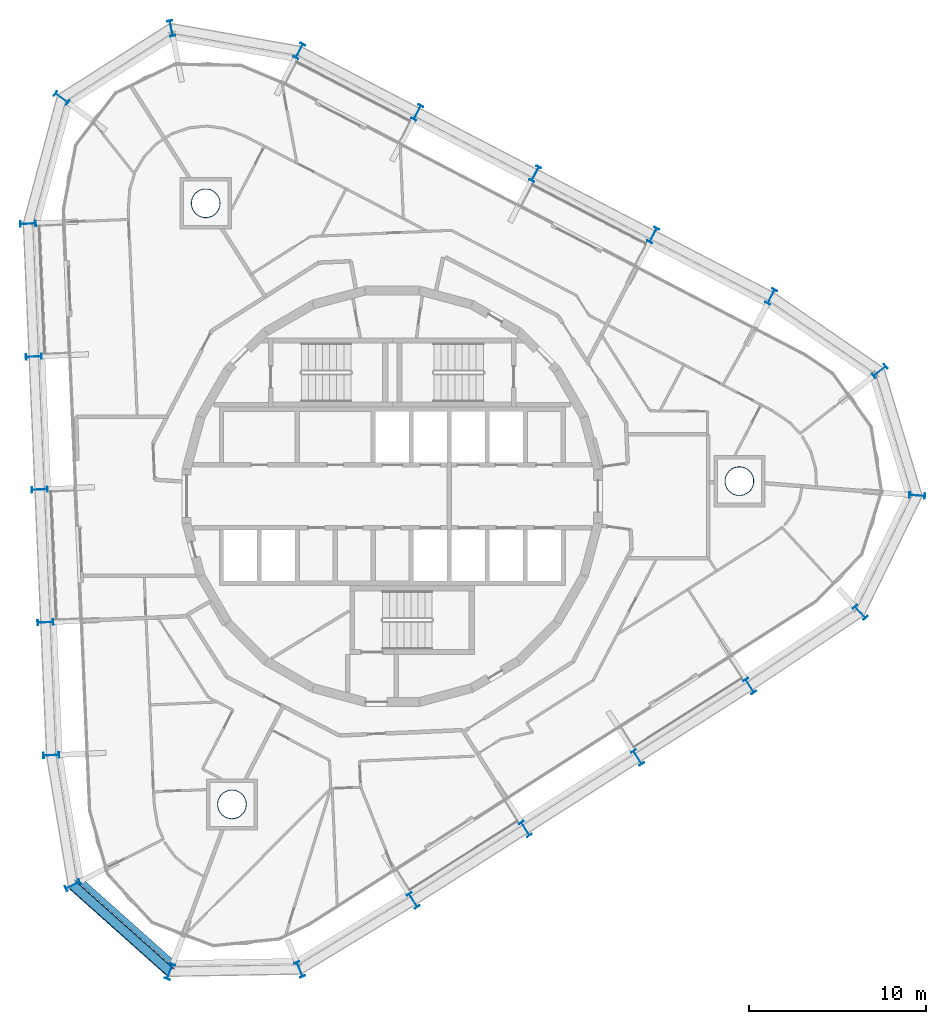
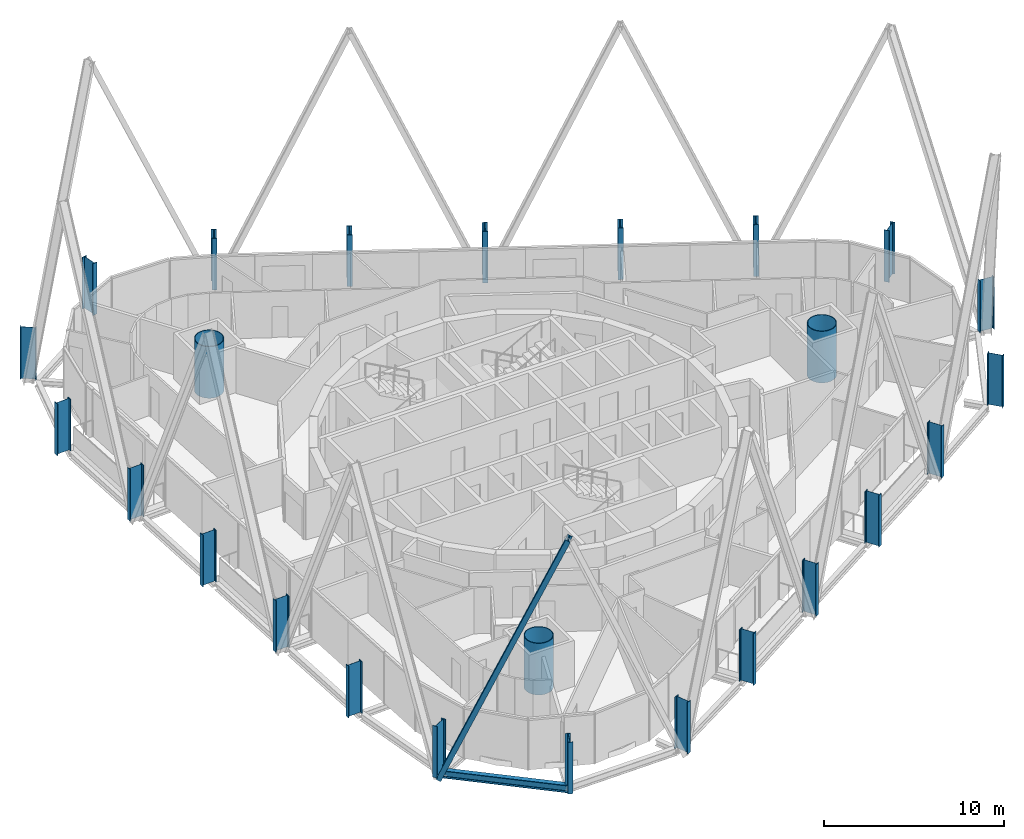
# One storey, part 1 of 18: 25 columns, 1 beam, 1 member.
"""IFC4 building model written with IfcOpenShell, lengths in metres."""

from ifc_helpers import new_model, si_unit, direction, frame, origin, origin_2d, place, context, subcontext, project, spatial, hollow_circle, i_section, extrude, material, material_profile, profile_set, type_object, element, save


model = new_model("IFC4")

# Units and contexts
model_context = context("Model", 3, precision=1e-05, world=origin(), true_north=direction((0.0, 1.0)))
body_context = subcontext(model_context, "Body", "Model", "MODEL_VIEW")
ifc_project = project(units=[si_unit("LENGTHUNIT", "METRE"), si_unit("AREAUNIT", "SQUARE_METRE"), si_unit("VOLUMEUNIT", "CUBIC_METRE"), si_unit("PLANEANGLEUNIT", "RADIAN"), si_unit("MASSUNIT", "GRAM", prefix="KILO")], contexts=[model_context])

# Site, building, storey
site_placement = place(None, origin())
site = spatial("IfcSite", under=ifc_project, at=site_placement, CompositionType="ELEMENT")
building_placement = place(site_placement, origin())
building = spatial("IfcBuilding", under=site, at=building_placement, Name="Spindle Arch Residences", CompositionType="ELEMENT")
storey_placement = place(building_placement, frame((0.0, 0.0, 240.699951171875)))
storey = spatial("IfcBuildingStorey", under=building, at=storey_placement, Name="L61", CompositionType="ELEMENT", Elevation=240.699951171875)

# Columns
ifc_material_1 = material(Name="Steel S460ML, intumescent coating R 240", Category="steel")
ifc_material_profile_1 = material_profile(ifc_material_1, i_section(OverallWidth=0.300048828125, OverallDepth=0.89990234375, WebThickness=0.0185546875, FlangeThickness=0.034912109375, FilletRadius=0.030029296875, at=origin_2d()), Name="HEB 900")
ifc_profile_set_1 = profile_set([ifc_material_profile_1], Name="Steel S460ML, intumescent coating R 240")
column_type_1 = type_object("IfcColumnType", Name="Exoskeleton post HEB 900", PredefinedType="COLUMN", material=ifc_profile_set_1)
for number, where, z_axis, x_axis, name in (
    (1, (13.885986328125, -14.78955078125, -0.3798828125), (0.0, 0.0, 1.0), (-0.843391139633, -0.537300088953, 0.0), "Exoskeleton post 1"),
    (2, (20.23681640625, -10.74365234375, -0.3798828125), (0.0, 0.0, 1.0), (-0.843391139633, -0.537300088953, 0.0), "Exoskeleton post 2"),
    (3, (26.49462890625, -6.569091796875, -0.3798828125), (0.0, 0.0, 1.0), (-0.735346889002, -0.677690897707, 0.0), "Exoskeleton post 3"),
    (4, (29.71728515625, 0.04443359375, -0.3798828125), (0.0, 0.0, 1.0), (-0.080537962999, -0.996751542018, 0.0), "Exoskeleton post 4"),
    (5, (27.598388671875, 7.089599609375, -0.3798828125), (0.0, 0.0, 1.0), (0.617001797175, -0.786961741308, 0.0), "Exoskeleton post 5"),
    (6, (21.449951171875, 11.3076171875, -0.3798828125), (0.0, 0.0, 1.0), (0.887010710334, -0.461748849216, 0.0), "Exoskeleton post 6"),
    (7, (14.770751953125, 14.784423828125, -0.3798828125), (0.0, 0.0, 1.0), (0.887010710334, -0.461748849216, 0.0), "Exoskeleton post 7"),
    (8, (8.09130859375, 18.261474609375, -0.3798828125), (0.0, 0.0, 1.0), (0.887010710334, -0.461748849216, 0.0), "Exoskeleton post 8"),
    (9, (1.412109375, 21.738525390625, -0.3798828125), (0.0, 0.0, 1.0), (0.887010710334, -0.461748849216, 0.0), "Exoskeleton post 9"),
    (10, (-5.26708984375, 25.215576171875, -0.3798828125), (0.0, 0.0, 1.0), (0.887010710334, -0.461748849216, 0.0), "Exoskeleton post 10"),
    (11, (-12.51953125, 26.498046875, -0.3798828125), (0.0, 0.0, 1.0), (0.981152901053, 0.193232980505, 0.0), "Exoskeleton post 11"),
    (12, (-18.724365234375, 22.545166015625, -0.3798828125), (0.0, 0.0, 1.0), (0.589781110017, 0.807563150637, 0.0), "Exoskeleton post 12"),
    (13, (-20.626953125, 15.43017578125, -0.3798828125), (0.0, 0.0, 1.0), (-0.043619010384, 0.999048238041, 0.0), "Exoskeleton post 13"),
    (14, (-20.298583984375, 7.9072265625, -0.3798828125), (0.0, 0.0, 1.0), (-0.043619010384, 0.999048238041, 0.0), "Exoskeleton post 14"),
    (15, (-19.97021484375, 0.38427734375, -0.3798828125), (0.0, 0.0, 1.0), (-0.043619010384, 0.999048238041, 0.0), "Exoskeleton post 15"),
    (16, (-19.6416015625, -7.138671875, -0.3798828125), (0.0, 0.0, 1.0), (-0.043619010384, 0.999048238041, 0.0), "Exoskeleton post 16"),
    (17, (-19.313232421875, -14.66162109375, -0.3798828125), (0.0, 0.0, 1.0), (-0.043619010384, 0.999048238041, 0.0), "Exoskeleton post 17"),
    (18, (-18.089111328125, -22.016357421875, -0.3798828125), (0.0, 0.0, 1.0), (-0.452473836659, 0.89177767809, 0.0), "Exoskeleton post 18"),
    (19, (-12.599365234375, -26.9140625, -0.3798828125), (0.0, 0.0, 1.0), (-0.937400631219, 0.348252863002, 0.0), "Exoskeleton post 19"),
    (20, (-5.243408203125, -26.78857421875, -0.3798828125), (0.0, 0.0, 1.0), (-0.924967647063, -0.380045854978, 0.0), "Exoskeleton post 20"),
    (21, (1.1845703125, -22.88134765625, -0.3798828125), (0.0, 0.0, 1.0), (-0.843391139633, -0.537300088953, 0.0), "Exoskeleton post 21"),
    (22, (7.535400390625, -18.83544921875, -0.3798828125), (0.0, 0.0, 1.0), (-0.843391139633, -0.537300088953, 0.0), "Exoskeleton post 22"),
):
    element("IfcColumn", number, at=place(storey_placement, frame(where, z_axis=z_axis, x_axis=x_axis)), inside=storey, type_object=column_type_1, Name=name, PredefinedType="COLUMN", context=body_context, shape_type="SweptSolid", body=[
        extrude(i_section(OverallWidth=0.300048828125, OverallDepth=0.89990234375, WebThickness=0.0185546875, FlangeThickness=0.034912109375, FilletRadius=0.030029296875, at=origin_2d()), origin(), (0.0, 0.0, 1.0), 3.5),
    ])
ifc_material_2 = material(Name="Concrete C50/60 filled steel tube S460ML, intumescent coating R 240", Category="concrete")
ifc_material_profile_2 = material_profile(ifc_material_2, hollow_circle(Radius=0.824951171875, WallThickness=0.0400390625, at=origin_2d()), Name="CFT D1650x40")
ifc_profile_set_2 = profile_set([ifc_material_profile_2], Name="Concrete C50/60 filled steel tube S460ML, intumescent coating R 240")
column_type_2 = type_object("IfcColumnType", Name="Mega-column CFT D1650x40", PredefinedType="COLUMN", material=ifc_profile_set_2)
for number, where, z_axis, x_axis, name in (
    (23, (19.64990234375, 0.85791015625, -0.3798828125), (0.0, 0.0, 1.0), (1.0, 0.0, 0.0), "Mega-column 1"),
    (24, (-10.568115234375, 16.58837890625, -0.3798828125), (0.0, 0.0, 1.0), (1.0, 0.0, 0.0), "Mega-column 2"),
    (25, (-9.08203125, -17.4462890625, -0.3798828125), (0.0, 0.0, 1.0), (1.0, 0.0, 0.0), "Mega-column 3"),
):
    element("IfcColumn", number, at=place(storey_placement, frame(where, z_axis=z_axis, x_axis=x_axis)), inside=storey, type_object=column_type_2, Name=name, PredefinedType="COLUMN", context=body_context, shape_type="SweptSolid", body=[
        extrude(hollow_circle(Radius=0.824951171875, WallThickness=0.0400390625, at=origin_2d()), origin(), (0.0, 0.0, 1.0), 3.5),
    ])

# Member
ifc_material_3 = material(Name="Steel S460ML, intumescent coating R 240", Category="steel")
ifc_material_profile_3 = material_profile(ifc_material_3, i_section(OverallWidth=0.300048828125, OverallDepth=0.60009765625, WebThickness=0.015380859375, FlangeThickness=0.030029296875, FilletRadius=0.027099609375, at=origin_2d()), Name="HEB 600")
ifc_profile_set_3 = profile_set([ifc_material_profile_3], Name="Steel S460ML, intumescent coating R 240")
member_type = type_object("IfcMemberType", Name="Diagrid diagonal HEB 600", PredefinedType="BRACE", material=ifc_profile_set_3)
member_placement = place(storey_placement, frame((-18.089111328125, -22.016357421875, -0.6298828125), z_axis=(0.292405315838, -0.260870899272, 0.920024730745), x_axis=(-0.68652048162, 0.612482761797, 0.391860300129)))
element("IfcMember", 26, at=member_placement, inside=storey, type_object=member_type, Name="Diagrid diagonal 6.2.18", PredefinedType="BRACE", context=body_context, shape_type="SweptSolid", body=[
    extrude(i_section(OverallWidth=0.300048828125, OverallDepth=0.60009765625, WebThickness=0.015380859375, FlangeThickness=0.030029296875, FilletRadius=0.027099609375, at=origin_2d()), origin(), (0.0, 0.0, 1.0), 18.7744140625),
])

# Beam
ifc_material_4 = material(Name="Steel S460ML, intumescent coating R 120", Category="steel")
ifc_material_profile_4 = material_profile(ifc_material_4, i_section(OverallWidth=0.300048828125, OverallDepth=0.5, WebThickness=0.014404296875, FlangeThickness=0.028076171875, FilletRadius=0.027099609375, at=origin_2d()), Name="HEB 500")
ifc_profile_set_4 = profile_set([ifc_material_profile_4], Name="Steel S460ML, intumescent coating R 120")
beam_type = type_object("IfcBeamType", Name="Exoskeleton edge beam HEB 500", PredefinedType="BEAM", material=ifc_profile_set_4)
beam_placement = place(storey_placement, frame((-17.67236328125, -21.74462890625, -0.6298828125), z_axis=(0.746176267139, -0.66574843474, 0.0), x_axis=(0.66574843474, 0.746176267139, 0.0)))
element("IfcBeam", 27, at=beam_placement, inside=storey, type_object=beam_type, Name="Exoskeleton edge beam 18", PredefinedType="BEAM", context=body_context, shape_type="SweptSolid", body=[
    extrude(i_section(OverallWidth=0.300048828125, OverallDepth=0.5, WebThickness=0.014404296875, FlangeThickness=0.028076171875, FilletRadius=0.027099609375, at=origin_2d()), origin(), (0.0, 0.0, 1.0), 7.09716796875),
])

save(model, "model.ifc")
